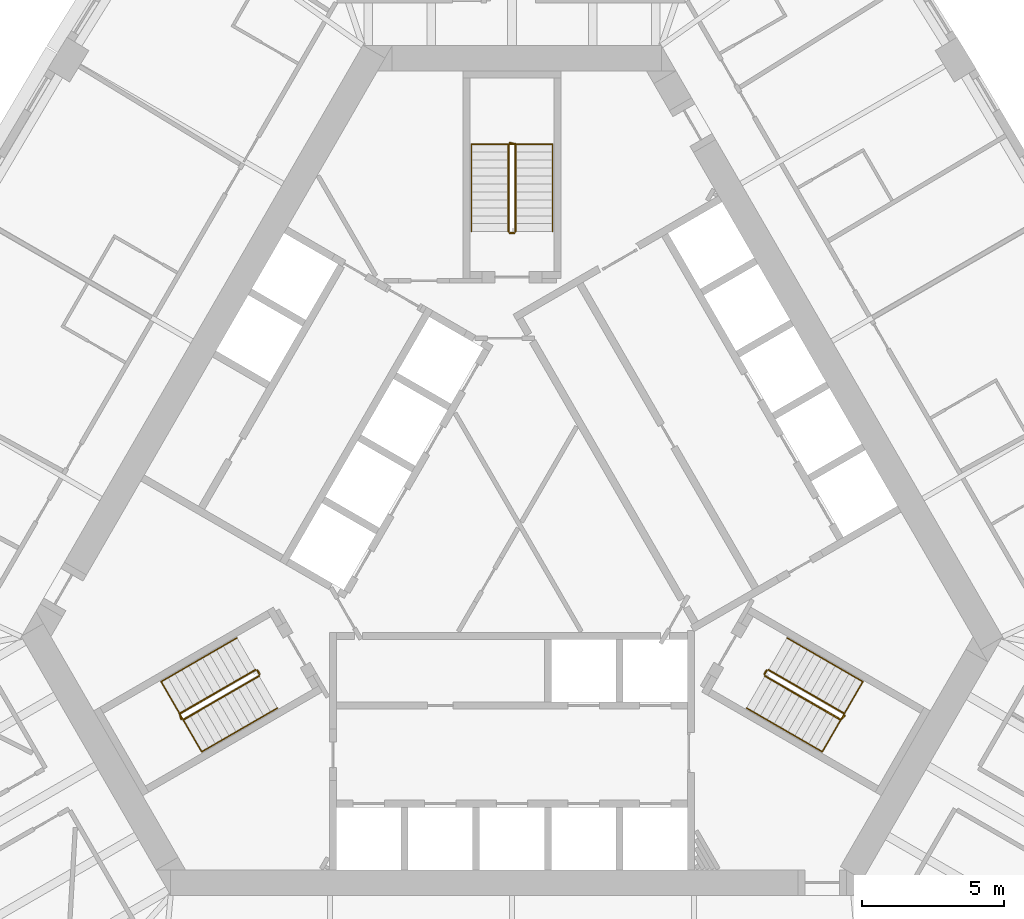
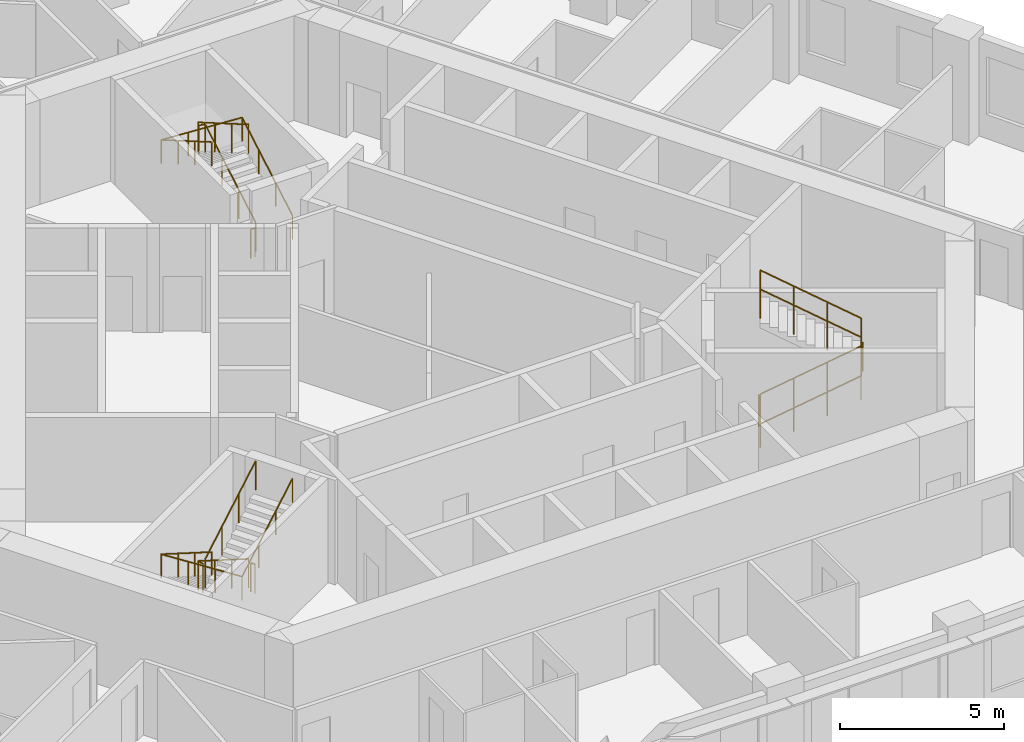
# One storey, part 13 of 13: 12 railings.
"""IFC4 building model written with IfcOpenShell, lengths in metres."""

from ifc_helpers import new_model, si_unit, direction, frame, origin, origin_2d, place, context, subcontext, project, spatial, circle, extrude, material, type_object, element, save


model = new_model("IFC4")

# Units and contexts
model_context = context("Model", 3, precision=1e-05, world=origin(), true_north=direction((0.0, 1.0)))
body_context = subcontext(model_context, "Body", "Model", "MODEL_VIEW")
ifc_project = project(units=[si_unit("LENGTHUNIT", "METRE"), si_unit("AREAUNIT", "SQUARE_METRE"), si_unit("VOLUMEUNIT", "CUBIC_METRE"), si_unit("PLANEANGLEUNIT", "RADIAN"), si_unit("MASSUNIT", "GRAM", prefix="KILO")], contexts=[model_context])

# Site, building, storey
site_placement = place(None, origin())
site = spatial("IfcSite", under=ifc_project, at=site_placement, CompositionType="ELEMENT")
building_placement = place(site_placement, origin())
building = spatial("IfcBuilding", under=site, at=building_placement, Name="Mestral Congress Tower", CompositionType="ELEMENT")
storey_placement = place(building_placement, frame((0.0, 0.0, 114.89990234375)))
storey = spatial("IfcBuildingStorey", under=building, at=storey_placement, Name="L27", CompositionType="ELEMENT", Elevation=114.89990234375)

# Railings
ifc_material_1 = material(Name="Steel balustrade", Category="steel")
railing_type_1 = type_object("IfcRailingType", Name="Stair guard 1100", PredefinedType="GUARDRAIL", material=ifc_material_1)
railing_1_placement = place(storey_placement, frame((8.90087890625, -5.283203125, 0.16259765625)))
element("IfcRailing", 1, at=railing_1_placement, inside=storey, type_object=railing_type_1, Name="L27 ST1 stair guard 1", PredefinedType="GUARDRAIL", context=body_context, shape_type="SweptSolid", body=[
    extrude(circle(Radius=0.02392578125, at=origin_2d()), frame((0.0, 0.0, 1.076171875), z_axis=(0.748993966903, -0.432462603499, 0.501980212875), x_axis=(0.500026652407, 0.866010015463, 0.0)), (0.0, 0.0, 1.0), 3.56103515625),
    extrude(circle(Radius=0.02392578125, at=origin_2d()), frame((2.667236328125, -1.5400390625, 2.86376953125), z_axis=(0.695164929852, 0.718850276695, 0.0), x_axis=(-0.718850276695, 0.695164929852, 0.0)), (0.0, 0.0, 1.0), 0.2060546875),
    extrude(circle(Radius=0.02099609375, at=origin_2d()), origin(), (0.0, 0.0, 1.0), 1.052001953125),
    extrude(circle(Radius=0.02099609375, at=origin_2d()), frame((0.88916015625, -0.513427734375, 0.595947265625)), (0.0, 0.0, 1.0), 1.052001953125),
    extrude(circle(Radius=0.02099609375, at=origin_2d()), frame((1.778076171875, -1.026611328125, 1.191650390625)), (0.0, 0.0, 1.0), 1.052001953125),
    extrude(circle(Radius=0.02099609375, at=origin_2d()), frame((2.667236328125, -1.5400390625, 1.78759765625)), (0.0, 0.0, 1.0), 1.052001953125),
    extrude(circle(Radius=0.02099609375, at=origin_2d()), frame((2.810546875, -1.391845703125, 1.78759765625)), (0.0, 0.0, 1.0), 1.052001953125),
])
railing_2_placement = place(storey_placement, frame((11.693115234375, -6.606689453125, 2.112548828125)))
element("IfcRailing", 2, at=railing_2_placement, inside=storey, type_object=railing_type_1, Name="L27 ST1 stair guard 2", PredefinedType="GUARDRAIL", context=body_context, shape_type="SweptSolid", body=[
    extrude(circle(Radius=0.02392578125, at=origin_2d()), frame((0.0, 0.0, 1.076171875), z_axis=(-0.748993966903, 0.432462603499, 0.501980212875), x_axis=(-0.500026652407, -0.866010015463, 0.0)), (0.0, 0.0, 1.0), 3.56103515625),
    extrude(circle(Radius=0.02099609375, at=origin_2d()), origin(), (0.0, 0.0, 1.0), 1.052001953125),
    extrude(circle(Radius=0.02099609375, at=origin_2d()), frame((-0.88916015625, 0.513427734375, 0.595947265625)), (0.0, 0.0, 1.0), 1.052001953125),
    extrude(circle(Radius=0.02099609375, at=origin_2d()), frame((-1.778076171875, 1.026611328125, 1.191650390625)), (0.0, 0.0, 1.0), 1.052001953125),
    extrude(circle(Radius=0.02099609375, at=origin_2d()), frame((-2.667236328125, 1.5400390625, 1.78759765625)), (0.0, 0.0, 1.0), 1.052001953125),
])
railing_3_placement = place(storey_placement, frame((8.882568359375, -5.21484375, 0.0)))
element("IfcRailing", 3, at=railing_3_placement, inside=storey, type_object=railing_type_1, Name="L27 ST1 stair guard 3", PredefinedType="GUARDRAIL", context=body_context, shape_type="SweptSolid", body=[
    extrude(circle(Radius=0.02392578125, at=origin_2d()), frame((0.0, 0.0, 1.076171875), z_axis=(0.499816412211, 0.866131372301, 0.0), x_axis=(-0.866131372301, 0.499816412211, 0.0)), (0.0, 0.0, 1.0), 0.14990234375),
    extrude(circle(Radius=0.02099609375, at=origin_2d()), origin(), (0.0, 0.0, 1.0), 1.052001953125),
    extrude(circle(Radius=0.02099609375, at=origin_2d()), frame((0.074951171875, 0.1298828125, 0.0)), (0.0, 0.0, 1.0), 1.052001953125),
])
railing_4_placement = place(storey_placement, frame((0.125, 10.35009765625, 0.16259765625)))
element("IfcRailing", 4, at=railing_4_placement, inside=storey, type_object=railing_type_1, Name="L27 ST2 stair guard 1", PredefinedType="GUARDRAIL", context=body_context, shape_type="SweptSolid", body=[
    extrude(circle(Radius=0.02392578125, at=origin_2d()), frame((0.0, 0.0, 1.076171875), z_axis=(0.0, 0.864873446163, 0.501989962173), x_axis=(-1.0, 0.0, 0.0)), (0.0, 0.0, 1.0), 3.56103515625),
    extrude(circle(Radius=0.02392578125, at=origin_2d()), frame((0.0, 3.079833984375, 2.86376953125), z_axis=(-0.970072785993, 0.242814311512, 0.0), x_axis=(-0.242814311512, -0.970072785993, 0.0)), (0.0, 0.0, 1.0), 0.2060546875),
    extrude(circle(Radius=0.02099609375, at=origin_2d()), origin(), (0.0, 0.0, 1.0), 1.052001953125),
    extrude(circle(Radius=0.02099609375, at=origin_2d()), frame((0.0, 1.026611328125, 0.595947265625)), (0.0, 0.0, 1.0), 1.052001953125),
    extrude(circle(Radius=0.02099609375, at=origin_2d()), frame((0.0, 2.05322265625, 1.191650390625)), (0.0, 0.0, 1.0), 1.052001953125),
    extrude(circle(Radius=0.02099609375, at=origin_2d()), frame((0.0, 3.079833984375, 1.78759765625)), (0.0, 0.0, 1.0), 1.052001953125),
    extrude(circle(Radius=0.02099609375, at=origin_2d()), frame((-0.199951171875, 3.1298828125, 1.78759765625)), (0.0, 0.0, 1.0), 1.052001953125),
])
railing_5_placement = place(storey_placement, frame((-0.125, 13.429931640625, 2.112548828125)))
element("IfcRailing", 5, at=railing_5_placement, inside=storey, type_object=railing_type_1, Name="L27 ST2 stair guard 2", PredefinedType="GUARDRAIL", context=body_context, shape_type="SweptSolid", body=[
    extrude(circle(Radius=0.02392578125, at=origin_2d()), frame((0.0, 0.0, 1.076171875), z_axis=(0.0, -0.864873446163, 0.501989962173), x_axis=(1.0, 0.0, 0.0)), (0.0, 0.0, 1.0), 3.56103515625),
    extrude(circle(Radius=0.02099609375, at=origin_2d()), origin(), (0.0, 0.0, 1.0), 1.052001953125),
    extrude(circle(Radius=0.02099609375, at=origin_2d()), frame((0.0, -1.026611328125, 0.595947265625)), (0.0, 0.0, 1.0), 1.052001953125),
    extrude(circle(Radius=0.02099609375, at=origin_2d()), frame((0.0, -2.05322265625, 1.191650390625)), (0.0, 0.0, 1.0), 1.052001953125),
    extrude(circle(Radius=0.02099609375, at=origin_2d()), frame((0.0, -3.079833984375, 1.78759765625)), (0.0, 0.0, 1.0), 1.052001953125),
])
railing_6_placement = place(storey_placement, frame((0.074951171875, 10.300048828125, 0.0)))
element("IfcRailing", 6, at=railing_6_placement, inside=storey, type_object=railing_type_1, Name="L27 ST2 stair guard 3", PredefinedType="GUARDRAIL", context=body_context, shape_type="SweptSolid", body=[
    extrude(circle(Radius=0.02392578125, at=origin_2d()), frame((0.0, 0.0, 1.076171875), z_axis=(-1.0, 0.0, 0.0), x_axis=(0.0, -1.0, 0.0)), (0.0, 0.0, 1.0), 0.14990234375),
    extrude(circle(Radius=0.02099609375, at=origin_2d()), origin(), (0.0, 0.0, 1.0), 1.052001953125),
    extrude(circle(Radius=0.02099609375, at=origin_2d()), frame((-0.14990234375, 0.0, 0.0)), (0.0, 0.0, 1.0), 1.052001953125),
])
railing_7_placement = place(storey_placement, frame((-9.02587890625, -5.066650390625, 0.16259765625)))
element("IfcRailing", 7, at=railing_7_placement, inside=storey, type_object=railing_type_1, Name="L27 ST3 stair guard 1", PredefinedType="GUARDRAIL", context=body_context, shape_type="SweptSolid", body=[
    extrude(circle(Radius=0.02392578125, at=origin_2d()), frame((0.0, 0.0, 1.076171875), z_axis=(-0.748993966903, -0.432462603499, 0.501980212875), x_axis=(0.500026652407, -0.866010015463, 0.0)), (0.0, 0.0, 1.0), 3.56103515625),
    extrude(circle(Radius=0.02392578125, at=origin_2d()), frame((-2.667236328125, -1.5400390625, 2.86376953125), z_axis=(0.274721127897, -0.961523947641, 0.0), x_axis=(0.961523947641, 0.274721127897, 0.0)), (0.0, 0.0, 1.0), 0.2060546875),
    extrude(circle(Radius=0.02099609375, at=origin_2d()), origin(), (0.0, 0.0, 1.0), 1.052001953125),
    extrude(circle(Radius=0.02099609375, at=origin_2d()), frame((-0.88916015625, -0.513427734375, 0.595947265625)), (0.0, 0.0, 1.0), 1.052001953125),
    extrude(circle(Radius=0.02099609375, at=origin_2d()), frame((-1.778076171875, -1.026611328125, 1.191650390625)), (0.0, 0.0, 1.0), 1.052001953125),
    extrude(circle(Radius=0.02099609375, at=origin_2d()), frame((-2.667236328125, -1.5400390625, 1.78759765625)), (0.0, 0.0, 1.0), 1.052001953125),
    extrude(circle(Radius=0.02099609375, at=origin_2d()), frame((-2.610595703125, -1.73828125, 1.78759765625)), (0.0, 0.0, 1.0), 1.052001953125),
])
railing_8_placement = place(storey_placement, frame((-11.568115234375, -6.8232421875, 2.112548828125)))
element("IfcRailing", 8, at=railing_8_placement, inside=storey, type_object=railing_type_1, Name="L27 ST3 stair guard 2", PredefinedType="GUARDRAIL", context=body_context, shape_type="SweptSolid", body=[
    extrude(circle(Radius=0.02392578125, at=origin_2d()), frame((0.0, 0.0, 1.076171875), z_axis=(0.748993966903, 0.432462603499, 0.501980212875), x_axis=(-0.500026652407, 0.866010015463, 0.0)), (0.0, 0.0, 1.0), 3.56103515625),
    extrude(circle(Radius=0.02099609375, at=origin_2d()), origin(), (0.0, 0.0, 1.0), 1.052001953125),
    extrude(circle(Radius=0.02099609375, at=origin_2d()), frame((0.88916015625, 0.513427734375, 0.595947265625)), (0.0, 0.0, 1.0), 1.052001953125),
    extrude(circle(Radius=0.02099609375, at=origin_2d()), frame((1.778076171875, 1.026611328125, 1.191650390625)), (0.0, 0.0, 1.0), 1.052001953125),
    extrude(circle(Radius=0.02099609375, at=origin_2d()), frame((2.667236328125, 1.5400390625, 1.78759765625)), (0.0, 0.0, 1.0), 1.052001953125),
])
railing_9_placement = place(storey_placement, frame((-8.95751953125, -5.0849609375, 0.0)))
element("IfcRailing", 9, at=railing_9_placement, inside=storey, type_object=railing_type_1, Name="L27 ST3 stair guard 3", PredefinedType="GUARDRAIL", context=body_context, shape_type="SweptSolid", body=[
    extrude(circle(Radius=0.02392578125, at=origin_2d()), frame((0.0, 0.0, 1.076171875), z_axis=(0.499816412211, -0.866131372301, 0.0), x_axis=(0.866131372301, 0.499816412211, 0.0)), (0.0, 0.0, 1.0), 0.14990234375),
    extrude(circle(Radius=0.02099609375, at=origin_2d()), origin(), (0.0, 0.0, 1.0), 1.052001953125),
    extrude(circle(Radius=0.02099609375, at=origin_2d()), frame((0.074951171875, -0.1298828125, 0.0)), (0.0, 0.0, 1.0), 1.052001953125),
])
ifc_material_2 = material(Name="Steel handrail", Category="steel")
railing_type_2 = type_object("IfcRailingType", Name="Stair handrail 900", PredefinedType="HANDRAIL", material=ifc_material_2)
railing_10_placement = place(storey_placement, frame((8.2509765625, -6.4091796875, 0.16259765625)))
element("IfcRailing", 10, at=railing_10_placement, inside=storey, type_object=railing_type_2, Name="L27 ST1 stair handrail 1", PredefinedType="HANDRAIL", context=body_context, shape_type="SweptSolid", body=[
    extrude(circle(Radius=0.02392578125, at=origin_2d()), frame((0.0, 0.0, 0.8759765625), z_axis=(0.749016172816, -0.432406865167, 0.50199509541), x_axis=(0.499967199496, 0.866044340336, 0.0)), (0.0, 0.0, 1.0), 3.56103515625),
    extrude(circle(Radius=0.02392578125, at=origin_2d()), frame((2.667236328125, -1.539794921875, 2.66357421875), z_axis=(0.499226936105, 0.864602552182, 0.056876120012), x_axis=(-0.866004402611, 0.500036373335, 0.0)), (0.0, 0.0, 1.0), 2.8544921875),
    extrude(circle(Radius=0.02392578125, at=origin_2d()), frame((4.09228515625, 0.92822265625, 2.82568359375), z_axis=(-0.74902406201, 0.432440397507, 0.501954437309), x_axis=(-0.499992328818, -0.866029832698, 0.0)), (0.0, 0.0, 1.0), 3.561279296875),
    extrude(circle(Radius=0.02099609375, at=origin_2d()), origin(), (0.0, 0.0, 1.0), 0.851806640625),
    extrude(circle(Radius=0.02099609375, at=origin_2d()), frame((0.88916015625, -0.51318359375, 0.595947265625)), (0.0, 0.0, 1.0), 0.851806640625),
    extrude(circle(Radius=0.02099609375, at=origin_2d()), frame((1.778076171875, -1.026611328125, 1.191650390625)), (0.0, 0.0, 1.0), 0.851806640625),
    extrude(circle(Radius=0.02099609375, at=origin_2d()), frame((2.667236328125, -1.539794921875, 1.78759765625)), (0.0, 0.0, 1.0), 0.851806640625),
    extrude(circle(Radius=0.02099609375, at=origin_2d()), frame((3.142333984375, -0.717041015625, 1.841796875)), (0.0, 0.0, 1.0), 0.851806640625),
    extrude(circle(Radius=0.02099609375, at=origin_2d()), frame((3.6171875, 0.10546875, 1.895751953125)), (0.0, 0.0, 1.0), 0.851806640625),
    extrude(circle(Radius=0.02099609375, at=origin_2d()), frame((4.09228515625, 0.92822265625, 1.949951171875)), (0.0, 0.0, 1.0), 0.851806640625),
    extrude(circle(Radius=0.02099609375, at=origin_2d()), frame((3.203125, 1.441650390625, 2.5458984375)), (0.0, 0.0, 1.0), 0.851806640625),
    extrude(circle(Radius=0.02099609375, at=origin_2d()), frame((2.31396484375, 1.954833984375, 3.1416015625)), (0.0, 0.0, 1.0), 0.851806640625),
    extrude(circle(Radius=0.02099609375, at=origin_2d()), frame((1.4248046875, 2.46826171875, 3.737548828125)), (0.0, 0.0, 1.0), 0.851806640625),
])
railing_11_placement = place(storey_placement, frame((1.425048828125, 10.35009765625, 0.16259765625)))
element("IfcRailing", 11, at=railing_11_placement, inside=storey, type_object=railing_type_2, Name="L27 ST2 stair handrail 1", PredefinedType="HANDRAIL", context=body_context, shape_type="SweptSolid", body=[
    extrude(circle(Radius=0.02392578125, at=origin_2d()), frame((0.0, 0.0, 0.8759765625), z_axis=(0.0, 0.864873446163, 0.501989962173), x_axis=(-1.0, 0.0, 0.0)), (0.0, 0.0, 1.0), 3.56103515625),
    extrude(circle(Radius=0.02392578125, at=origin_2d()), frame((0.0, 3.079833984375, 2.66357421875), z_axis=(-0.998381478221, 0.0, 0.056871996147), x_axis=(0.0, -1.0, 0.0)), (0.0, 0.0, 1.0), 2.854736328125),
    extrude(circle(Radius=0.02392578125, at=origin_2d()), frame((-2.85009765625, 3.079833984375, 2.82568359375), z_axis=(0.0, -0.864873446163, 0.501989962173), x_axis=(1.0, 0.0, 0.0)), (0.0, 0.0, 1.0), 3.56103515625),
    extrude(circle(Radius=0.02099609375, at=origin_2d()), origin(), (0.0, 0.0, 1.0), 0.851806640625),
    extrude(circle(Radius=0.02099609375, at=origin_2d()), frame((0.0, 1.026611328125, 0.595947265625)), (0.0, 0.0, 1.0), 0.851806640625),
    extrude(circle(Radius=0.02099609375, at=origin_2d()), frame((0.0, 2.05322265625, 1.191650390625)), (0.0, 0.0, 1.0), 0.851806640625),
    extrude(circle(Radius=0.02099609375, at=origin_2d()), frame((0.0, 3.079833984375, 1.78759765625)), (0.0, 0.0, 1.0), 0.851806640625),
    extrude(circle(Radius=0.02099609375, at=origin_2d()), frame((-0.949951171875, 3.079833984375, 1.841796875)), (0.0, 0.0, 1.0), 0.851806640625),
    extrude(circle(Radius=0.02099609375, at=origin_2d()), frame((-1.900146484375, 3.079833984375, 1.895751953125)), (0.0, 0.0, 1.0), 0.851806640625),
    extrude(circle(Radius=0.02099609375, at=origin_2d()), frame((-2.85009765625, 3.079833984375, 1.949951171875)), (0.0, 0.0, 1.0), 0.851806640625),
    extrude(circle(Radius=0.02099609375, at=origin_2d()), frame((-2.85009765625, 2.05322265625, 2.5458984375)), (0.0, 0.0, 1.0), 0.851806640625),
    extrude(circle(Radius=0.02099609375, at=origin_2d()), frame((-2.85009765625, 1.026611328125, 3.1416015625)), (0.0, 0.0, 1.0), 0.851806640625),
    extrude(circle(Radius=0.02099609375, at=origin_2d()), frame((-2.85009765625, 0.0, 3.737548828125)), (0.0, 0.0, 1.0), 0.851806640625),
])
railing_12_placement = place(storey_placement, frame((-9.67578125, -3.94091796875, 0.16259765625)))
element("IfcRailing", 12, at=railing_12_placement, inside=storey, type_object=railing_type_2, Name="L27 ST3 stair handrail 1", PredefinedType="HANDRAIL", context=body_context, shape_type="SweptSolid", body=[
    extrude(circle(Radius=0.02392578125, at=origin_2d()), frame((0.0, 0.0, 0.8759765625), z_axis=(-0.74902406201, -0.432440397507, 0.501954437309), x_axis=(0.499992328818, -0.866029832698, 0.0)), (0.0, 0.0, 1.0), 3.561279296875),
    extrude(circle(Radius=0.02392578125, at=origin_2d()), frame((-2.66748046875, -1.5400390625, 2.66357421875), z_axis=(0.499226936105, -0.864602552182, 0.056876120012), x_axis=(0.866004402611, 0.500036373335, 0.0)), (0.0, 0.0, 1.0), 2.8544921875),
    extrude(circle(Radius=0.02392578125, at=origin_2d()), frame((-1.242431640625, -4.008056640625, 2.82568359375), z_axis=(0.749016172816, 0.432406865167, 0.50199509541), x_axis=(-0.499967199496, 0.866044340336, 0.0)), (0.0, 0.0, 1.0), 3.56103515625),
    extrude(circle(Radius=0.02099609375, at=origin_2d()), origin(), (0.0, 0.0, 1.0), 0.851806640625),
    extrude(circle(Radius=0.02099609375, at=origin_2d()), frame((-0.88916015625, -0.513427734375, 0.595947265625)), (0.0, 0.0, 1.0), 0.851806640625),
    extrude(circle(Radius=0.02099609375, at=origin_2d()), frame((-1.7783203125, -1.026611328125, 1.191650390625)), (0.0, 0.0, 1.0), 0.851806640625),
    extrude(circle(Radius=0.02099609375, at=origin_2d()), frame((-2.66748046875, -1.5400390625, 1.78759765625)), (0.0, 0.0, 1.0), 0.851806640625),
    extrude(circle(Radius=0.02099609375, at=origin_2d()), frame((-2.1923828125, -2.36279296875, 1.841796875)), (0.0, 0.0, 1.0), 0.851806640625),
    extrude(circle(Radius=0.02099609375, at=origin_2d()), frame((-1.717529296875, -3.185302734375, 1.895751953125)), (0.0, 0.0, 1.0), 0.851806640625),
    extrude(circle(Radius=0.02099609375, at=origin_2d()), frame((-1.242431640625, -4.008056640625, 1.949951171875)), (0.0, 0.0, 1.0), 0.851806640625),
    extrude(circle(Radius=0.02099609375, at=origin_2d()), frame((-0.353271484375, -3.494873046875, 2.5458984375)), (0.0, 0.0, 1.0), 0.851806640625),
    extrude(circle(Radius=0.02099609375, at=origin_2d()), frame((0.53564453125, -2.9814453125, 3.1416015625)), (0.0, 0.0, 1.0), 0.851806640625),
    extrude(circle(Radius=0.02099609375, at=origin_2d()), frame((1.4248046875, -2.46826171875, 3.737548828125)), (0.0, 0.0, 1.0), 0.851806640625),
])

save(model, "model.ifc")
